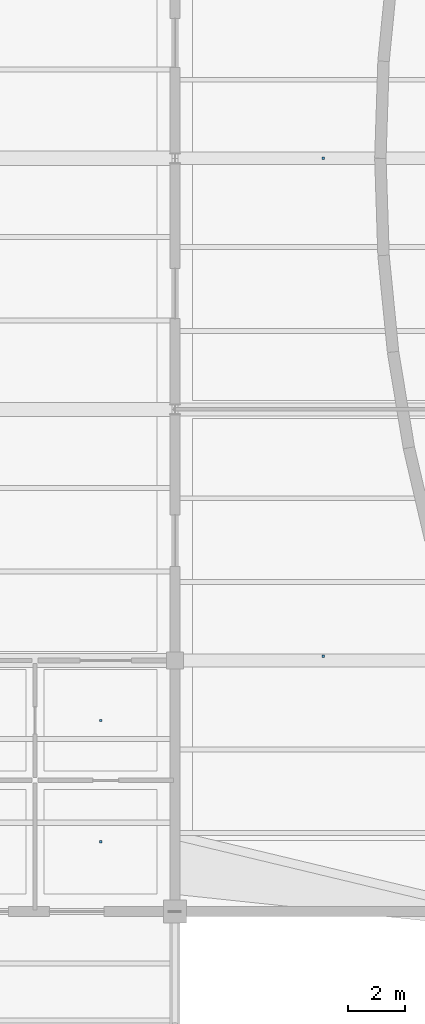
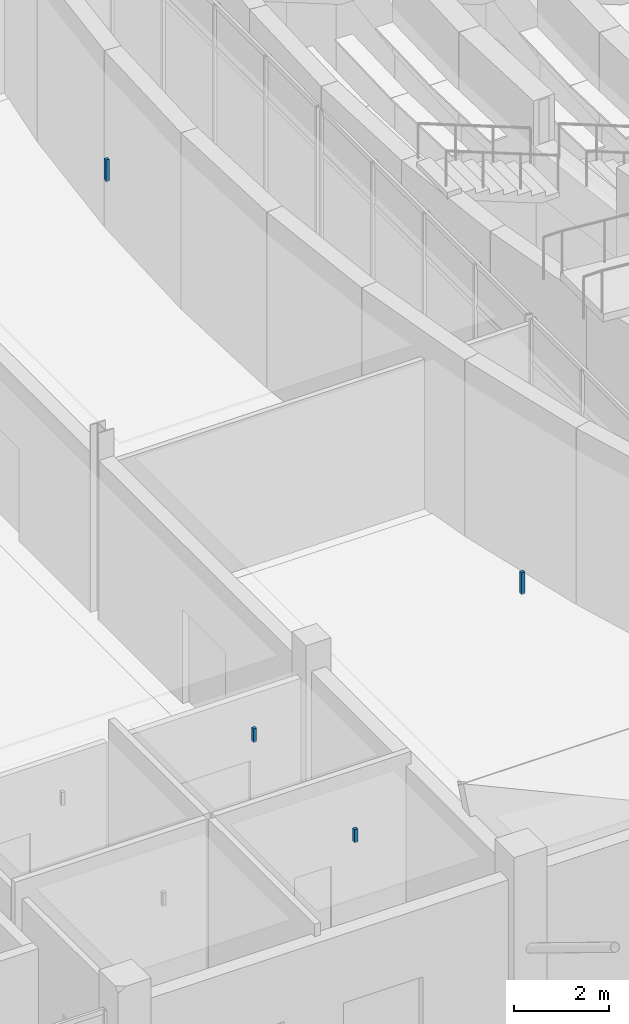
# One storey, part 105 of 116: 4 discrete accessories.
"""IFC4 building model written with IfcOpenShell, lengths in metres."""

from ifc_helpers import new_model, si_unit, direction, frame, origin, origin_2d, place, context, subcontext, project, spatial, rectangle, extrude, material, type_object, element, save


model = new_model("IFC4")

# Units and contexts
model_context = context("Model", 3, precision=1e-05, world=origin(), true_north=direction((0.0, 1.0)))
body_context = subcontext(model_context, "Body", "Model", "MODEL_VIEW")
ifc_project = project(units=[si_unit("LENGTHUNIT", "METRE"), si_unit("AREAUNIT", "SQUARE_METRE"), si_unit("VOLUMEUNIT", "CUBIC_METRE"), si_unit("PLANEANGLEUNIT", "RADIAN"), si_unit("MASSUNIT", "GRAM", prefix="KILO")], contexts=[model_context])

# Site, building, storey
site_placement = place(None, origin())
site = spatial("IfcSite", under=ifc_project, at=site_placement, CompositionType="ELEMENT")
building_placement = place(site_placement, origin())
building = spatial("IfcBuilding", under=site, at=building_placement, Name="Chalmorin Arch Market", CompositionType="ELEMENT")
storey_placement = place(building_placement, origin())
storey = spatial("IfcBuildingStorey", under=building, at=storey_placement, Name="L00", CompositionType="ELEMENT", Elevation=0.0)

# Discrete accessories
ifc_material = material(Name="Galvanized Cold-Formed Steel", Category="steel")
discrete_accessory_type = type_object("IfcDiscreteAccessoryType", Name="CeilingSuspensionBracket-80x80", PredefinedType="BRACKET", material=ifc_material)
discrete_accessory_1_placement = place(storey_placement, frame((122.199951171875, 8.449951171875, 4.261962890625), z_axis=(0.0, 0.0, 1.0), x_axis=(1.0, 0.0, 0.0)))
element("IfcDiscreteAccessory", 1, at=discrete_accessory_1_placement, inside=storey, type_object=discrete_accessory_type, Name="CSB-079", PredefinedType="BRACKET", context=body_context, shape_type="SweptSolid", body=[
    extrude(rectangle(XDim=0.080078125, YDim=0.080078125, at=origin_2d()), origin(), (0.0, 0.0, 1.0), 0.337890625),
])
discrete_accessory_2_placement = place(storey_placement, frame((122.199951171875, 12.699951171875, 4.2529296875), z_axis=(0.0, 0.0, 1.0), x_axis=(1.0, 0.0, 0.0)))
element("IfcDiscreteAccessory", 2, at=discrete_accessory_2_placement, inside=storey, type_object=discrete_accessory_type, Name="CSB-083", PredefinedType="BRACKET", context=body_context, shape_type="SweptSolid", body=[
    extrude(rectangle(XDim=0.080078125, YDim=0.080078125, at=origin_2d()), origin(), (0.0, 0.0, 1.0), 0.346923828125),
])
for number, where, z_axis, x_axis, name in (
    (3, (130.0, 14.949951171875, 3.953125), (0.0, 0.0, 1.0), (1.0, 0.0, 0.0), "CSB-085"),
    (4, (130.0, 32.39990234375, 3.953125), (0.0, 0.0, 1.0), (1.0, 0.0, 0.0), "CSB-087"),
):
    element("IfcDiscreteAccessory", number, at=place(storey_placement, frame(where, z_axis=z_axis, x_axis=x_axis)), inside=storey, type_object=discrete_accessory_type, Name=name, PredefinedType="BRACKET", context=body_context, shape_type="SweptSolid", body=[
        extrude(rectangle(XDim=0.080078125, YDim=0.080078125, at=origin_2d()), origin(), (0.0, 0.0, 1.0), 0.556884765625),
    ])

save(model, "model.ifc")
